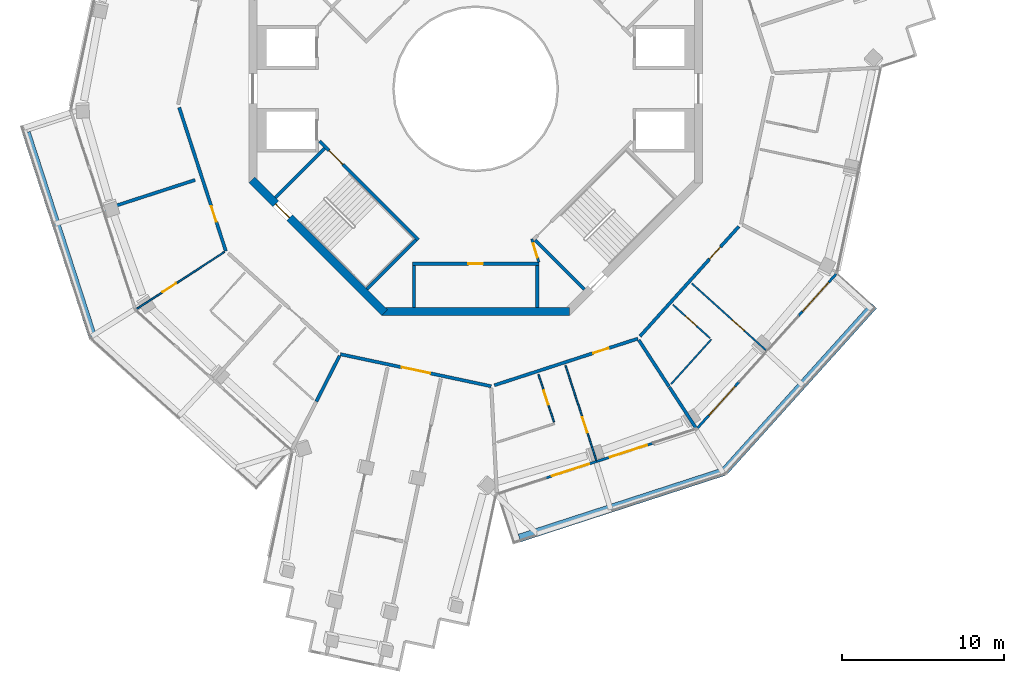
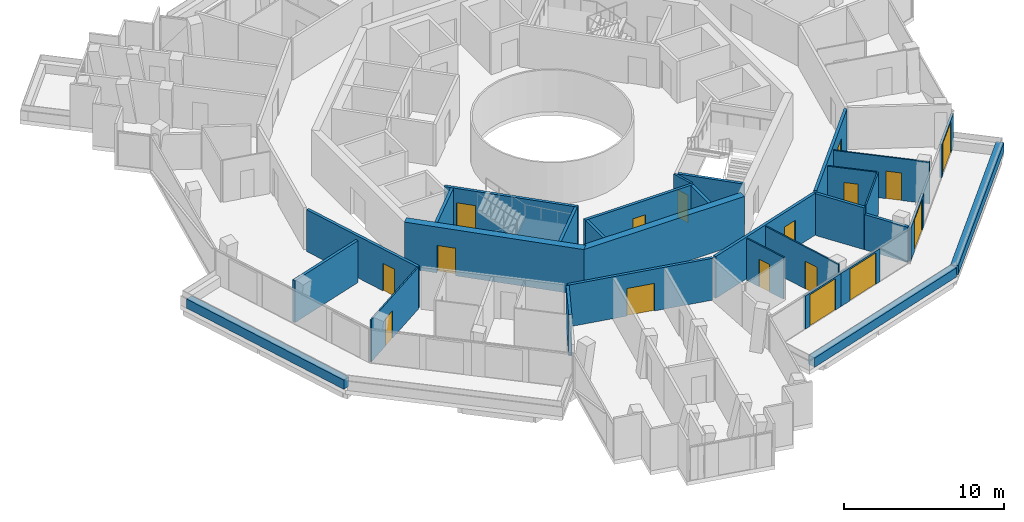
# One storey, part 15 of 22: 31 walls, 17 doors, 17 openings.
"""IFC4 building model written with IfcOpenShell, lengths in metres."""

from ifc_helpers import new_model, si_unit, direction, frame, frame_2d, origin, place, context, subcontext, project, spatial, rectangle, extrude, material, layer, layer_set, type_object, element, fill, save


model = new_model("IFC4")

# Units and contexts
model_context = context("Model", 3, precision=1e-05, world=origin(), true_north=direction((0.0, 1.0)))
body_context = subcontext(model_context, "Body", "Model", "MODEL_VIEW")
ifc_project = project(units=[si_unit("LENGTHUNIT", "METRE"), si_unit("AREAUNIT", "SQUARE_METRE"), si_unit("VOLUMEUNIT", "CUBIC_METRE"), si_unit("PLANEANGLEUNIT", "RADIAN"), si_unit("MASSUNIT", "GRAM", prefix="KILO")], contexts=[model_context])

# Site, building, storey
site_placement = place(None, origin())
site = spatial("IfcSite", under=ifc_project, at=site_placement, CompositionType="ELEMENT")
building_placement = place(site_placement, origin())
building = spatial("IfcBuilding", under=site, at=building_placement, Name="Verdalira Terraces Hotel", CompositionType="ELEMENT")
storey_placement = place(building_placement, frame((0.0, 0.0, 230.5)))
storey = spatial("IfcBuildingStorey", under=building, at=storey_placement, Name="L56", CompositionType="ELEMENT", Elevation=230.5)

# Walls
ifc_material_1 = material(Name="Concrete C40", Category="concrete")
ifc_layer_1 = layer(ifc_material_1, 0.5)
ifc_layer_set_1 = layer_set([ifc_layer_1], Name="Balcony planter trough with tree")
wall_type_1 = type_object("IfcWallType", Name="Balcony planter trough with tree", PredefinedType="SOLIDWALL", material=ifc_layer_set_1)
for number, where, z_axis, x_axis, name in (
    (1, (-27.730713, -2.701416, 0.0), (0.0, 0.0, 1.0), (0.30900717, -0.951059708, 0.0), "Balcony planter"),
    (2, (2.701416, -27.730713, 0.0), (0.0, 0.0, 1.0), (0.951059708, 0.30900717, 0.0), "Balcony planter"),
):
    element("IfcWall", number, at=place(storey_placement, frame(where, z_axis=z_axis, x_axis=x_axis)), inside=storey, type_object=wall_type_1, Name=name, PredefinedType="SOLIDWALL", context=body_context, shape_type="SweptSolid", body=[
        extrude(rectangle(XDim=13.223633, YDim=0.5, at=frame_2d((6.611816, 0.0))), origin(), (0.0, 0.0, 1.0), 0.699951),
    ])
wall_1_placement = place(storey_placement, frame((15.38623, -23.573975, 0.0), z_axis=(0.0, 0.0, 1.0), x_axis=(0.669134751, 0.743141094, 0.0)))
element("IfcWall", 3, at=wall_1_placement, inside=storey, type_object=wall_type_1, Name="Balcony planter", PredefinedType="SOLIDWALL", context=body_context, shape_type="SweptSolid", body=[
    extrude(rectangle(XDim=13.723389, YDim=0.5, at=frame_2d((6.861816, 0.0))), origin(), (0.0, 0.0, 1.0), 0.699951),
])

# Wall, opening, door
ifc_material_2 = material(Name="Moisture-resistant gypsum board partition")
ifc_layer_2 = layer(ifc_material_2, 0.10009765625)
ifc_layer_set_2 = layer_set([ifc_layer_2], Name="Bathroom partition 100 mm")
wall_type_2 = type_object("IfcWallType", Name="Bathroom partition 100 mm", PredefinedType="PARTITIONING", material=ifc_layer_set_2)
wall_2_placement = place(storey_placement, frame((-15.505615, -10.06958, 0.0), z_axis=(0.0, 0.0, 1.0), x_axis=(-0.838671806, -0.544637128, 0.0)))
wall_2 = element("IfcWall", 4, at=wall_2_placement, inside=storey, type_object=wall_type_2, Name="Bathroom partition", PredefinedType="PARTITIONING", context=body_context, shape_type="SweptSolid", body=[
    extrude(rectangle(XDim=6.475586, YDim=0.100098, at=frame_2d((3.237793, 0.0))), origin(), (0.0, 0.0, 1.0), 3.189941),
])
opening_1_placement = place(wall_2_placement, frame((3.550049, 0.0, 0.0)))
opening_1 = element("IfcOpeningElement", 5, at=opening_1_placement, cuts=wall_2, Name="Opening L56-107", PredefinedType="OPENING", context=body_context, shape_type="SweptSolid", body=[
    extrude(rectangle(XDim=1.0, YDim=2.100098, at=frame_2d((0.5, 1.050049))), frame((0.0, 0.060059, 0.0), z_axis=(0.0, -1.0, 0.0), x_axis=(1.0, 0.0, 0.0)), (0.0, 0.0, 1.0), 0.120117),
])
ifc_material_3 = material(Name="Timber door", Category="wood")
door_type_1 = type_object("IfcDoorType", Name="Suite internal door 1000 x 2100", OperationType="NOTDEFINED", PredefinedType="DOOR", material=ifc_material_3)
door_1_placement = place(opening_1_placement, origin())
door_1 = element("IfcDoor", 6, at=door_1_placement, inside=storey, type_object=door_type_1, Name="Suite internal door 5603", OperationType="SINGLE_SWING_LEFT", OverallHeight=2.10009765625, OverallWidth=1.0, PredefinedType="DOOR", context=body_context, shape_type="SweptSolid", body=[
    extrude(rectangle(XDim=1.0, YDim=2.100098, at=frame_2d((0.5, 1.050049))), frame((0.0, 0.024902, 0.0), z_axis=(0.0, -1.0, 0.0), x_axis=(1.0, 0.0, 0.0)), (0.0, 0.0, 1.0), 0.050049),
])
fill(opening_1, door_1)

wall_3_placement = place(storey_placement, frame((4.835205, -20.571045, 0.0), z_axis=(0.0, 0.0, 1.0), x_axis=(-0.30903621, 0.951050273, 0.0)))
wall_3 = element("IfcWall", 7, at=wall_3_placement, inside=storey, type_object=wall_type_2, Name="Bathroom partition", PredefinedType="PARTITIONING", context=body_context, shape_type="SweptSolid", body=[
    extrude(rectangle(XDim=3.100098, YDim=0.100098, at=frame_2d((1.550049, 0.0))), origin(), (0.0, 0.0, 1.0), 3.189941),
])
opening_2_placement = place(wall_3_placement, frame((1.149902, 0.0, 0.0)))
opening_2 = element("IfcOpeningElement", 8, at=opening_2_placement, cuts=wall_3, Name="Opening L56-117", PredefinedType="OPENING", context=body_context, shape_type="SweptSolid", body=[
    extrude(rectangle(XDim=0.899902, YDim=2.100098, at=frame_2d((0.449951, 1.050049))), frame((0.0, 0.060059, 0.0), z_axis=(0.0, -1.0, 0.0), x_axis=(1.0, 0.0, 0.0)), (0.0, 0.0, 1.0), 0.120117),
])
ifc_material_4 = material(Name="Timber door", Category="wood")
door_type_2 = type_object("IfcDoorType", Name="Bathroom door 900 x 2100", OperationType="NOTDEFINED", PredefinedType="DOOR", material=ifc_material_4)
door_2_placement = place(opening_2_placement, origin())
door_2 = element("IfcDoor", 9, at=door_2_placement, inside=storey, type_object=door_type_2, Name="Bathroom door 5606", OperationType="SINGLE_SWING_LEFT", OverallHeight=2.10009765625, OverallWidth=0.89990234375, PredefinedType="DOOR", context=body_context, shape_type="SweptSolid", body=[
    extrude(rectangle(XDim=0.899902, YDim=2.100098, at=frame_2d((0.449951, 1.050049))), frame((0.0, 0.024902, 0.0), z_axis=(0.0, -1.0, 0.0), x_axis=(1.0, 0.0, 0.0)), (0.0, 0.0, 1.0), 0.050049),
])
fill(opening_2, door_2)

wall_4_placement = place(storey_placement, frame((7.449951, -22.928467, 0.0), z_axis=(0.0, 0.0, 1.0), x_axis=(-0.309037601, 0.95104982, 0.0)))
wall_4 = element("IfcWall", 10, at=wall_4_placement, inside=storey, type_object=wall_type_2, Name="Bathroom partition", PredefinedType="PARTITIONING", context=body_context, shape_type="SweptSolid", body=[
    extrude(rectangle(XDim=6.150146, YDim=0.100098, at=frame_2d((3.075195, 0.0))), origin(), (0.0, 0.0, 1.0), 3.189941),
])
opening_3_placement = place(wall_4_placement, frame((1.800049, 0.0, 0.0)))
opening_3 = element("IfcOpeningElement", 11, at=opening_3_placement, cuts=wall_4, Name="Opening L56-116", PredefinedType="OPENING", context=body_context, shape_type="SweptSolid", body=[
    extrude(rectangle(XDim=1.0, YDim=2.100098, at=frame_2d((0.5, 1.050049))), frame((0.0, 0.060059, 0.0), z_axis=(0.0, -1.0, 0.0), x_axis=(1.0, 0.0, 0.0)), (0.0, 0.0, 1.0), 0.120117),
])
door_3_placement = place(opening_3_placement, origin())
door_3 = element("IfcDoor", 12, at=door_3_placement, inside=storey, type_object=door_type_1, Name="Suite internal door 5606", OperationType="SINGLE_SWING_LEFT", OverallHeight=2.10009765625, OverallWidth=1.0, PredefinedType="DOOR", context=body_context, shape_type="SweptSolid", body=[
    extrude(rectangle(XDim=1.0, YDim=2.100098, at=frame_2d((0.5, 1.050049))), frame((0.0, 0.024902, 0.0), z_axis=(0.0, -1.0, 0.0), x_axis=(1.0, 0.0, 0.0)), (0.0, 0.0, 1.0), 0.050049),
])
fill(opening_3, door_3)

# Wall
wall_5_placement = place(storey_placement, frame((12.068604, -18.217041, 0.0), z_axis=(0.0, 0.0, 1.0), x_axis=(0.669128583, 0.743146648, 0.0)))
element("IfcWall", 13, at=wall_5_placement, inside=storey, type_object=wall_type_2, Name="Bathroom partition", PredefinedType="PARTITIONING", context=body_context, shape_type="SweptSolid", body=[
    extrude(rectangle(XDim=3.704102, YDim=0.100098, at=frame_2d((1.852051, 0.0))), origin(), (0.0, 0.0, 1.0), 3.189941),
])

# Wall, opening, door
wall_6_placement = place(storey_placement, frame((14.4729, -15.397461, 0.0), z_axis=(0.0, 0.0, 1.0), x_axis=(-0.74315315, 0.669121361, 0.0)))
wall_6 = element("IfcWall", 14, at=wall_6_placement, inside=storey, type_object=wall_type_2, Name="Bathroom partition", PredefinedType="PARTITIONING", context=body_context, shape_type="SweptSolid", body=[
    extrude(rectangle(XDim=3.099854, YDim=0.100098, at=frame_2d((1.549805, 0.0))), origin(), (0.0, 0.0, 1.0), 3.189941),
])
opening_4_placement = place(wall_6_placement, frame((1.149902, 0.0, 0.0)))
opening_4 = element("IfcOpeningElement", 15, at=opening_4_placement, cuts=wall_6, Name="Opening L56-120", PredefinedType="OPENING", context=body_context, shape_type="SweptSolid", body=[
    extrude(rectangle(XDim=0.899902, YDim=2.100098, at=frame_2d((0.449951, 1.050049))), frame((0.0, 0.060059, 0.0), z_axis=(0.0, -1.0, 0.0), x_axis=(1.0, 0.0, 0.0)), (0.0, 0.0, 1.0), 0.120117),
])
door_4_placement = place(opening_4_placement, origin())
door_4 = element("IfcDoor", 16, at=door_4_placement, inside=storey, type_object=door_type_2, Name="Bathroom door 5607", OperationType="SINGLE_SWING_LEFT", OverallHeight=2.10009765625, OverallWidth=0.89990234375, PredefinedType="DOOR", context=body_context, shape_type="SweptSolid", body=[
    extrude(rectangle(XDim=0.899902, YDim=2.100098, at=frame_2d((0.449951, 1.050049))), frame((0.0, 0.024902, 0.0), z_axis=(0.0, -1.0, 0.0), x_axis=(1.0, 0.0, 0.0)), (0.0, 0.0, 1.0), 0.050049),
])
fill(opening_4, door_4)

wall_7_placement = place(storey_placement, frame((17.916016, -16.131592, 0.0), z_axis=(0.0, 0.0, 1.0), x_axis=(-0.743155953, 0.669118247, 0.0)))
wall_7 = element("IfcWall", 17, at=wall_7_placement, inside=storey, type_object=wall_type_2, Name="Bathroom partition", PredefinedType="PARTITIONING", context=body_context, shape_type="SweptSolid", body=[
    extrude(rectangle(XDim=6.149902, YDim=0.100098, at=frame_2d((3.074951, 0.0))), origin(), (0.0, 0.0, 1.0), 3.189941),
])
opening_5_placement = place(wall_7_placement, frame((1.800049, 0.0, 0.0)))
opening_5 = element("IfcOpeningElement", 18, at=opening_5_placement, cuts=wall_7, Name="Opening L56-119", PredefinedType="OPENING", context=body_context, shape_type="SweptSolid", body=[
    extrude(rectangle(XDim=1.0, YDim=2.100098, at=frame_2d((0.5, 1.050049))), frame((0.0, 0.060059, 0.0), z_axis=(0.0, -1.0, 0.0), x_axis=(1.0, 0.0, 0.0)), (0.0, 0.0, 1.0), 0.120117),
])
door_5_placement = place(opening_5_placement, origin())
door_5 = element("IfcDoor", 19, at=door_5_placement, inside=storey, type_object=door_type_1, Name="Suite internal door 5607", OperationType="SINGLE_SWING_LEFT", OverallHeight=2.10009765625, OverallWidth=1.0, PredefinedType="DOOR", context=body_context, shape_type="SweptSolid", body=[
    extrude(rectangle(XDim=1.0, YDim=2.100098, at=frame_2d((0.5, 1.050049))), frame((0.0, 0.024902, 0.0), z_axis=(0.0, -1.0, 0.0), x_axis=(1.0, 0.0, 0.0)), (0.0, 0.0, 1.0), 0.050049),
])
fill(opening_5, door_5)

ifc_material_5 = material(Name="Concrete C50", Category="concrete")
ifc_layer_3 = layer(ifc_material_5, 0.199951171875)
ifc_layer_set_3 = layer_set([ifc_layer_3], Name="Core RC wall 200 C50")
wall_type_3 = type_object("IfcWallType", Name="Core RC wall 200 C50", PredefinedType="SOLIDWALL", material=ifc_layer_set_3)
wall_8_placement = place(storey_placement, frame((-3.899902, -10.800049, 0.0), z_axis=(0.0, 0.0, 1.0), x_axis=(1.0, 0.0, 0.0)))
wall_8 = element("IfcWall", 20, at=wall_8_placement, inside=storey, type_object=wall_type_3, Name="L56 store front wall", PredefinedType="SOLIDWALL", context=body_context, shape_type="SweptSolid", body=[
    extrude(rectangle(XDim=7.799805, YDim=0.199951, at=frame_2d((3.899902, 0.0))), origin(), (0.0, 0.0, 1.0), 3.189941),
])
opening_6_placement = place(wall_8_placement, frame((3.449951, 0.0, 0.0)))
opening_6 = element("IfcOpeningElement", 21, at=opening_6_placement, cuts=wall_8, Name="Opening L56-801", PredefinedType="OPENING", context=body_context, shape_type="SweptSolid", body=[
    extrude(rectangle(XDim=0.899902, YDim=2.100098, at=frame_2d((0.449951, 1.050049))), frame((0.0, 0.109863, 0.0), z_axis=(0.0, -1.0, 0.0), x_axis=(1.0, 0.0, 0.0)), (0.0, 0.0, 1.0), 0.219971),
])
ifc_material_6 = material(Name="Steel fire door", Category="steel")
door_type_3 = type_object("IfcDoorType", Name="Core room door 900 x 2100", OperationType="NOTDEFINED", PredefinedType="DOOR", material=ifc_material_6)
door_6_placement = place(opening_6_placement, origin())
door_6 = element("IfcDoor", 22, at=door_6_placement, inside=storey, type_object=door_type_3, Name="Store door L56 SS", OperationType="SINGLE_SWING_LEFT", OverallHeight=2.10009765625, OverallWidth=0.89990234375, PredefinedType="DOOR", context=body_context, shape_type="SweptSolid", body=[
    extrude(rectangle(XDim=0.899902, YDim=2.100098, at=frame_2d((0.449951, 1.050049))), frame((0.0, 0.024902, 0.0), z_axis=(0.0, -1.0, 0.0), x_axis=(1.0, 0.0, 0.0)), (0.0, 0.0, 1.0), 0.050049),
])
fill(opening_6, door_6)

# Walls
for number, where, z_axis, x_axis, name in (
    (23, (-3.800049, -10.899902, 0.0), (0.0, 0.0, 1.0), (0.0, -1.0, 0.0), "L56 store side wall"),
    (24, (3.800049, -10.899902, 0.0), (0.0, 0.0, 1.0), (0.0, -1.0, 0.0), "L56 store side wall"),
):
    element("IfcWall", number, at=place(storey_placement, frame(where, z_axis=z_axis, x_axis=x_axis)), inside=storey, type_object=wall_type_3, Name=name, PredefinedType="SOLIDWALL", context=body_context, shape_type="SweptSolid", body=[
        extrude(rectangle(XDim=2.600098, YDim=0.199951, at=frame_2d((1.300049, 0.0))), origin(), (0.0, 0.0, 1.0), 3.189941),
    ])

# Wall, opening, door
wall_9_placement = place(storey_placement, frame((-3.5354, -9.33374, 0.0), z_axis=(0.0, 0.0, 1.0), x_axis=(-0.707120946, 0.707092617, 0.0)))
wall_9 = element("IfcWall", 25, at=wall_9_placement, inside=storey, type_object=wall_type_3, Name="L56 stair ST2 front wall", PredefinedType="SOLIDWALL", context=body_context, shape_type="SweptSolid", body=[
    extrude(rectangle(XDim=8.61792, YDim=0.199951, at=frame_2d((4.309082, 0.0))), origin(), (0.0, 0.0, 1.0), 3.189941),
])
opening_7_placement = place(wall_9_placement, frame((6.600098, 0.0, 0.0)))
opening_7 = element("IfcOpeningElement", 26, at=opening_7_placement, cuts=wall_9, Name="Opening L56-811", PredefinedType="OPENING", context=body_context, shape_type="SweptSolid", body=[
    extrude(rectangle(XDim=1.199951, YDim=2.100098, at=frame_2d((0.600098, 1.050049))), frame((0.0, 0.109863, 0.0), z_axis=(0.0, -1.0, 0.0), x_axis=(1.0, 0.0, 0.0)), (0.0, 0.0, 1.0), 0.219971),
])
ifc_material_7 = material(Name="Steel fire door", Category="steel")
door_type_4 = type_object("IfcDoorType", Name="Stair door 1200 x 2100", OperationType="NOTDEFINED", PredefinedType="DOOR", material=ifc_material_7)
door_7_placement = place(opening_7_placement, origin())
door_7 = element("IfcDoor", 27, at=door_7_placement, inside=storey, type_object=door_type_4, Name="Stair door ST2 L56", OperationType="SINGLE_SWING_RIGHT", OverallHeight=2.10009765625, OverallWidth=1.199951171875, PredefinedType="DOOR", context=body_context, shape_type="SweptSolid", body=[
    extrude(rectangle(XDim=1.199951, YDim=2.100098, at=frame_2d((0.600098, 1.050049))), frame((0.0, 0.024902, 0.0), z_axis=(0.0, -1.0, 0.0), x_axis=(1.0, 0.0, 0.0)), (0.0, 0.0, 1.0), 0.050049),
])
fill(opening_7, door_7)

# Walls
for number, where, z_axis, x_axis, name in (
    (28, (-9.33374, -3.677002, 0.0), (0.0, 0.0, 1.0), (-0.707135168, -0.707078393, 0.0), "L56 stair ST2 end wall 1"),
    (29, (-3.677002, -9.33374, 0.0), (0.0, 0.0, 1.0), (-0.707078393, -0.707135168, 0.0), "L56 stair ST2 end wall 2"),
    (30, (3.677002, -9.33374, 0.0), (0.0, 0.0, 1.0), (0.707078393, -0.707135168, 0.0), "L56 stair ST3 end wall 1"),
):
    element("IfcWall", number, at=place(storey_placement, frame(where, z_axis=z_axis, x_axis=x_axis)), inside=storey, type_object=wall_type_3, Name=name, PredefinedType="SOLIDWALL", context=body_context, shape_type="SweptSolid", body=[
        extrude(rectangle(XDim=4.300049, YDim=0.199951, at=frame_2d((2.149902, 0.0))), origin(), (0.0, 0.0, 1.0), 3.189941),
    ])

# Wall, opening, door
ifc_material_8 = material(Name="Gypsum board partition")
ifc_layer_4 = layer(ifc_material_8, 0.14990234375)
ifc_layer_set_4 = layer_set([ifc_layer_4], Name="Core partition 150 mm")
wall_type_4 = type_object("IfcWallType", Name="Core partition 150 mm", PredefinedType="PARTITIONING", material=ifc_layer_set_4)
wall_10_placement = place(storey_placement, frame((3.899902, -10.699951, 0.0), z_axis=(0.0, 0.0, 1.0), x_axis=(-0.289808785, 0.957084567, 0.0)))
wall_10 = element("IfcWall", 31, at=wall_10_placement, inside=storey, type_object=wall_type_4, Name="Room partition L56", PredefinedType="PARTITIONING", context=body_context, shape_type="SweptSolid", body=[
    extrude(rectangle(XDim=1.501221, YDim=0.149902, at=frame_2d((0.750488, 0.0))), origin(), (0.0, 0.0, 1.0), 3.189941),
])
opening_8_placement = place(wall_10_placement, frame((0.300781, 0.0, 0.0)))
opening_8 = element("IfcOpeningElement", 32, at=opening_8_placement, cuts=wall_10, Name="Opening L56-822", PredefinedType="OPENING", context=body_context, shape_type="SweptSolid", body=[
    extrude(rectangle(XDim=0.899902, YDim=2.100098, at=frame_2d((0.449951, 1.050049))), frame((0.0, 0.084961, 0.0), z_axis=(0.0, -1.0, 0.0), x_axis=(1.0, 0.0, 0.0)), (0.0, 0.0, 1.0), 0.169922),
])
door_8_placement = place(opening_8_placement, origin())
door_8 = element("IfcDoor", 33, at=door_8_placement, inside=storey, type_object=door_type_3, Name="Door L56 room6", OperationType="SINGLE_SWING_LEFT", OverallHeight=2.10009765625, OverallWidth=0.89990234375, PredefinedType="DOOR", context=body_context, shape_type="SweptSolid", body=[
    extrude(rectangle(XDim=0.899902, YDim=2.100098, at=frame_2d((0.449951, 1.050049))), frame((0.0, 0.024902, 0.0), z_axis=(0.0, -1.0, 0.0), x_axis=(1.0, 0.0, 0.0)), (0.0, 0.0, 1.0), 0.050049),
])
fill(opening_8, door_8)

ifc_material_9 = material(Name="Concrete C50", Category="concrete")
ifc_layer_5 = layer(ifc_material_9, 0.5)
ifc_layer_set_5 = layer_set([ifc_layer_5], Name="Core wall 500 C50")
wall_type_5 = type_object("IfcWallType", Name="Core wall 500 C50", PredefinedType="SHEAR", material=ifc_layer_set_5)
wall_11_placement = place(storey_placement, frame((-13.823242, -5.622314, 0.0), z_axis=(0.0, 0.0, 1.0), x_axis=(0.707106781, -0.707106781, 0.0)))
wall_11 = element("IfcWall", 34, at=wall_11_placement, inside=storey, type_object=wall_type_5, Name="Core wall CW-L56-6", PredefinedType="SHEAR", context=body_context, shape_type="SweptSolid", body=[
    extrude(rectangle(XDim=11.5979, YDim=0.5, at=frame_2d((5.798828, 0.0))), origin(), (0.0, 0.0, 1.0), 3.5),
])
opening_9_placement = place(wall_11_placement, frame((2.099121, 0.0, 0.0)))
opening_9 = element("IfcOpeningElement", 35, at=opening_9_placement, cuts=wall_11, Name="Opening L56-817", PredefinedType="OPENING", context=body_context, shape_type="SweptSolid", body=[
    extrude(rectangle(XDim=1.199951, YDim=2.100098, at=frame_2d((0.600098, 1.050049))), frame((0.0, 0.26001, 0.0), z_axis=(0.0, -1.0, 0.0), x_axis=(1.0, 0.0, 0.0)), (0.0, 0.0, 1.0), 0.52002),
])
door_9_placement = place(opening_9_placement, origin())
door_9 = element("IfcDoor", 36, at=door_9_placement, inside=storey, type_object=door_type_4, Name="Stair exit door ST2 L56", OperationType="SINGLE_SWING_LEFT", OverallHeight=2.10009765625, OverallWidth=1.199951171875, PredefinedType="DOOR", context=body_context, shape_type="SweptSolid", body=[
    extrude(rectangle(XDim=1.199951, YDim=2.100098, at=frame_2d((0.600098, 1.050049))), frame((0.0, 0.024902, 0.0), z_axis=(0.0, -1.0, 0.0), x_axis=(1.0, 0.0, 0.0)), (0.0, 0.0, 1.0), 0.050049),
])
fill(opening_9, door_9)

# Walls
wall_12_placement = place(storey_placement, frame((-5.799072, -13.75, 0.0), z_axis=(0.0, 0.0, 1.0), x_axis=(1.0, 0.0, 0.0)))
element("IfcWall", 37, at=wall_12_placement, inside=storey, type_object=wall_type_5, Name="Core wall CW-L56-7", PredefinedType="SHEAR", context=body_context, shape_type="SweptSolid", body=[
    extrude(rectangle(XDim=11.598145, YDim=0.5, at=frame_2d((5.799072, 0.0))), origin(), (0.0, 0.0, 1.0), 3.5),
])
ifc_material_10 = material(Name="Fire-rated gypsum board wall")
ifc_layer_6 = layer(ifc_material_10, 0.199951171875)
ifc_layer_set_6 = layer_set([ifc_layer_6], Name="Demising wall 200 mm")
wall_type_6 = type_object("IfcWallType", Name="Demising wall 200 mm", PredefinedType="SOLIDWALL", material=ifc_layer_set_6)
wall_13_placement = place(storey_placement, frame((-17.314453, -5.625732, 0.0), z_axis=(0.0, 0.0, 1.0), x_axis=(-0.951046834, -0.309046792, 0.0)))
element("IfcWall", 38, at=wall_13_placement, inside=storey, type_object=wall_type_6, Name="Demising wall", PredefinedType="SOLIDWALL", context=body_context, shape_type="SweptSolid", body=[
    extrude(rectangle(XDim=5.902832, YDim=0.199951, at=frame_2d((2.951416, 0.0))), origin(), (0.0, 0.0, 1.0), 3.189941),
])
wall_14_placement = place(storey_placement, frame((-9.828613, -19.290039, 0.0), z_axis=(0.0, 0.0, 1.0), x_axis=(0.453935036, 0.891034782, 0.0)))
element("IfcWall", 39, at=wall_14_placement, inside=storey, type_object=wall_type_6, Name="Demising wall", PredefinedType="SOLIDWALL", context=body_context, shape_type="SweptSolid", body=[
    extrude(rectangle(XDim=3.161377, YDim=0.199951, at=frame_2d((1.580566, 0.0))), origin(), (0.0, 0.0, 1.0), 3.189941),
])
wall_15_placement = place(storey_placement, frame((10.06958, -15.505615, 0.0), z_axis=(0.0, 0.0, 1.0), x_axis=(0.544639368, -0.838670352, 0.0)))
element("IfcWall", 40, at=wall_15_placement, inside=storey, type_object=wall_type_6, Name="Demising wall", PredefinedType="SOLIDWALL", context=body_context, shape_type="SweptSolid", body=[
    extrude(rectangle(XDim=3.418457, YDim=0.199951, at=frame_2d((1.709229, 0.0))), origin(), (0.0, 0.0, 1.0), 3.189941),
])
ifc_material_11 = material(Name="Fire-rated gypsum board wall")
ifc_layer_7 = layer(ifc_material_11, 0.199951171875)
ifc_layer_set_7 = layer_set([ifc_layer_7], Name="Demising wall 200 mm to beam soffit")
wall_type_7 = type_object("IfcWallType", Name="Demising wall 200 mm to beam soffit", PredefinedType="SOLIDWALL", material=ifc_layer_set_7)
wall_16_placement = place(storey_placement, frame((11.956299, -18.410889, 0.0), z_axis=(0.0, 0.0, 1.0), x_axis=(0.544632104, -0.838675069, 0.0)))
element("IfcWall", 41, at=wall_16_placement, inside=storey, type_object=wall_type_7, Name="Demising wall", PredefinedType="SOLIDWALL", context=body_context, shape_type="SweptSolid", body=[
    extrude(rectangle(XDim=3.011475, YDim=0.199951, at=frame_2d((1.505859, 0.0))), origin(), (0.0, 0.0, 1.0), 2.689941),
])

# Wall, opening, door
ifc_material_12 = material(Name="Fire-rated gypsum board wall")
ifc_layer_8 = layer(ifc_material_12, 0.199951171875)
ifc_layer_set_8 = layer_set([ifc_layer_8], Name="Guest corridor wall 200 mm")
wall_type_8 = type_object("IfcWallType", Name="Guest corridor wall 200 mm", PredefinedType="SOLIDWALL", material=ifc_layer_set_8)
wall_17_placement = place(storey_placement, frame((-15.418701, -10.013184, 0.0), z_axis=(0.0, 0.0, 1.0), x_axis=(-0.309017335, 0.951056406, 0.0)))
wall_17 = element("IfcWall", 42, at=wall_17_placement, inside=storey, type_object=wall_type_8, Name="Guest corridor wall", PredefinedType="SOLIDWALL", context=body_context, shape_type="SweptSolid", body=[
    extrude(rectangle(XDim=9.316406, YDim=0.199951, at=frame_2d((4.658203, 0.0))), origin(), (0.0, 0.0, 1.0), 3.189941),
])
opening_10_placement = place(wall_17_placement, frame((1.899902, 0.0, 0.0)))
opening_10 = element("IfcOpeningElement", 43, at=opening_10_placement, cuts=wall_17, Name="Opening L56-106", PredefinedType="OPENING", context=body_context, shape_type="SweptSolid", body=[
    extrude(rectangle(XDim=1.0, YDim=2.100098, at=frame_2d((0.5, 1.050049))), frame((0.0, 0.109863, 0.0), z_axis=(0.0, -1.0, 0.0), x_axis=(1.0, 0.0, 0.0)), (0.0, 0.0, 1.0), 0.219971),
])
ifc_material_13 = material(Name="Timber fire door", Category="wood")
door_type_5 = type_object("IfcDoorType", Name="Guest entry door 1000 x 2100", OperationType="NOTDEFINED", PredefinedType="DOOR", material=ifc_material_13)
door_10_placement = place(opening_10_placement, origin())
door_10 = element("IfcDoor", 44, at=door_10_placement, inside=storey, type_object=door_type_5, Name="Guest entry door 5603", OperationType="SINGLE_SWING_LEFT", OverallHeight=2.10009765625, OverallWidth=1.0, PredefinedType="DOOR", context=body_context, shape_type="SweptSolid", body=[
    extrude(rectangle(XDim=1.0, YDim=2.100098, at=frame_2d((0.5, 1.050049))), frame((0.0, 0.024902, 0.0), z_axis=(0.0, -1.0, 0.0), x_axis=(1.0, 0.0, 0.0)), (0.0, 0.0, 1.0), 0.050049),
])
fill(opening_10, door_10)

wall_18_placement = place(storey_placement, frame((0.962158, -18.359619, 0.0), z_axis=(0.0, 0.0, 1.0), x_axis=(-0.978149461, 0.207902938, 0.0)))
wall_18 = element("IfcWall", 45, at=wall_18_placement, inside=storey, type_object=wall_type_8, Name="Guest corridor wall", PredefinedType="SOLIDWALL", context=body_context, shape_type="SweptSolid", body=[
    extrude(rectangle(XDim=9.516602, YDim=0.199951, at=frame_2d((4.758301, 0.0))), origin(), (0.0, 0.0, 1.0), 3.189941),
])
opening_11_placement = place(wall_18_placement, frame((3.8396, 0.0, 0.0)))
opening_11 = element("IfcOpeningElement", 46, at=opening_11_placement, cuts=wall_18, Name="Opening L56-111", PredefinedType="OPENING", context=body_context, shape_type="SweptSolid", body=[
    extrude(rectangle(XDim=1.800049, YDim=2.100098, at=frame_2d((0.899902, 1.050049))), frame((0.0, 0.109863, 0.0), z_axis=(0.0, -1.0, 0.0), x_axis=(1.0, 0.0, 0.0)), (0.0, 0.0, 1.0), 0.219971),
])
ifc_material_14 = material(Name="Timber fire door", Category="wood")
door_type_6 = type_object("IfcDoorType", Name="Public room double door 1800 x 2100", OperationType="NOTDEFINED", PredefinedType="DOOR", material=ifc_material_14)
door_11_placement = place(opening_11_placement, origin())
door_11 = element("IfcDoor", 47, at=door_11_placement, inside=storey, type_object=door_type_6, Name="Public room double door 5605", OperationType="DOUBLE_DOOR_SINGLE_SWING", OverallHeight=2.10009765625, OverallWidth=1.800048828125, PredefinedType="DOOR", context=body_context, shape_type="SweptSolid", body=[
    extrude(rectangle(XDim=1.800049, YDim=2.100098, at=frame_2d((0.899902, 1.050049))), frame((0.0, 0.024902, 0.0), z_axis=(0.0, -1.0, 0.0), x_axis=(1.0, 0.0, 0.0)), (0.0, 0.0, 1.0), 0.050049),
])
fill(opening_11, door_11)

wall_19_placement = place(storey_placement, frame((10.013184, -15.418701, 0.0), z_axis=(0.0, 0.0, 1.0), x_axis=(-0.951053709, -0.309025635, 0.0)))
wall_19 = element("IfcWall", 48, at=wall_19_placement, inside=storey, type_object=wall_type_8, Name="Guest corridor wall", PredefinedType="SOLIDWALL", context=body_context, shape_type="SweptSolid", body=[
    extrude(rectangle(XDim=9.316895, YDim=0.199951, at=frame_2d((4.658447, 0.0))), origin(), (0.0, 0.0, 1.0), 3.189941),
])
opening_12_placement = place(wall_19_placement, frame((1.899902, 0.0, 0.0)))
opening_12 = element("IfcOpeningElement", 49, at=opening_12_placement, cuts=wall_19, Name="Opening L56-115", PredefinedType="OPENING", context=body_context, shape_type="SweptSolid", body=[
    extrude(rectangle(XDim=1.0, YDim=2.100098, at=frame_2d((0.5, 1.050049))), frame((0.0, 0.109863, 0.0), z_axis=(0.0, -1.0, 0.0), x_axis=(1.0, 0.0, 0.0)), (0.0, 0.0, 1.0), 0.219971),
])
door_12_placement = place(opening_12_placement, origin())
door_12 = element("IfcDoor", 50, at=door_12_placement, inside=storey, type_object=door_type_5, Name="Guest entry door 5606", OperationType="SINGLE_SWING_LEFT", OverallHeight=2.10009765625, OverallWidth=1.0, PredefinedType="DOOR", context=body_context, shape_type="SweptSolid", body=[
    extrude(rectangle(XDim=1.0, YDim=2.100098, at=frame_2d((0.5, 1.050049))), frame((0.0, 0.024902, 0.0), z_axis=(0.0, -1.0, 0.0), x_axis=(1.0, 0.0, 0.0)), (0.0, 0.0, 1.0), 0.050049),
])
fill(opening_12, door_12)

wall_20_placement = place(storey_placement, frame((16.24707, -8.495117, 0.0), z_axis=(0.0, 0.0, 1.0), x_axis=(-0.669127468, -0.743147652, 0.0)))
wall_20 = element("IfcWall", 51, at=wall_20_placement, inside=storey, type_object=wall_type_8, Name="Guest corridor wall", PredefinedType="SOLIDWALL", context=body_context, shape_type="SweptSolid", body=[
    extrude(rectangle(XDim=9.116455, YDim=0.199951, at=frame_2d((4.558105, 0.0))), origin(), (0.0, 0.0, 1.0), 3.189941),
])
opening_13_placement = place(wall_20_placement, frame((1.699951, 0.0, 0.0)))
opening_13 = element("IfcOpeningElement", 52, at=opening_13_placement, cuts=wall_20, Name="Opening L56-118", PredefinedType="OPENING", context=body_context, shape_type="SweptSolid", body=[
    extrude(rectangle(XDim=1.0, YDim=2.100098, at=frame_2d((0.5, 1.050049))), frame((0.0, 0.109863, 0.0), z_axis=(0.0, -1.0, 0.0), x_axis=(1.0, 0.0, 0.0)), (0.0, 0.0, 1.0), 0.219971),
])
door_13_placement = place(opening_13_placement, origin())
door_13 = element("IfcDoor", 53, at=door_13_placement, inside=storey, type_object=door_type_5, Name="Guest entry door 5607", OperationType="SINGLE_SWING_LEFT", OverallHeight=2.10009765625, OverallWidth=1.0, PredefinedType="DOOR", context=body_context, shape_type="SweptSolid", body=[
    extrude(rectangle(XDim=1.0, YDim=2.100098, at=frame_2d((0.5, 1.050049))), frame((0.0, 0.024902, 0.0), z_axis=(0.0, -1.0, 0.0), x_axis=(1.0, 0.0, 0.0)), (0.0, 0.0, 1.0), 0.050049),
])
fill(opening_13, door_13)

ifc_material_15 = material(Name="Terracotta cladding", Category="masonry")
ifc_layer_9 = layer(ifc_material_15, 0.14990234375)
ifc_layer_set_9 = layer_set([ifc_layer_9], Name="Terracotta door pier 150")
wall_type_9 = type_object("IfcWallType", Name="Terracotta door pier 150", PredefinedType="SOLIDWALL", material=ifc_layer_set_9)
wall_21_placement = place(storey_placement, frame((4.334473, -24.019531, 0.0), z_axis=(0.0, 0.0, 1.0), x_axis=(0.95106016, 0.309005779, 0.0)))
wall_21 = element("IfcWall", 54, at=wall_21_placement, inside=storey, type_object=wall_type_9, Name="Terracotta door pier", PredefinedType="SOLIDWALL", context=body_context, shape_type="SweptSolid", body=[
    extrude(rectangle(XDim=3.300293, YDim=0.149902, at=frame_2d((1.650146, 0.0))), origin(), (0.0, 0.0, 1.0), 2.524902),
])
opening_14_placement = place(wall_21_placement, frame((0.399902, 0.0, 0.0)))
opening_14 = element("IfcOpeningElement", 55, at=opening_14_placement, cuts=wall_21, Name="Opening L56-B06", PredefinedType="OPENING", context=body_context, shape_type="SweptSolid", body=[
    extrude(rectangle(XDim=2.399902, YDim=2.399902, at=frame_2d((1.199951, 1.199951))), frame((0.0, 0.084961, 0.0), z_axis=(0.0, -1.0, 0.0), x_axis=(1.0, 0.0, 0.0)), (0.0, 0.0, 1.0), 0.169922),
])
ifc_material_16 = material(Name="Clear glass", Category="glass")
door_type_7 = type_object("IfcDoorType", Name="Balcony sliding door 2400x2400", OperationType="NOTDEFINED", PredefinedType="DOOR", material=ifc_material_16)
door_14_placement = place(opening_14_placement, origin())
door_14 = element("IfcDoor", 56, at=door_14_placement, inside=storey, type_object=door_type_7, Name="Balcony sliding door", OperationType="SLIDING_TO_RIGHT", OverallHeight=2.39990234375, OverallWidth=2.39990234375, PredefinedType="DOOR", context=body_context, shape_type="SweptSolid", body=[
    extrude(rectangle(XDim=2.399902, YDim=2.399902, at=frame_2d((1.199951, 1.199951))), frame((0.0, 0.024902, 0.0), z_axis=(0.0, -1.0, 0.0), x_axis=(1.0, 0.0, 0.0)), (0.0, 0.0, 1.0), 0.050049),
])
fill(opening_14, door_14)

wall_22_placement = place(storey_placement, frame((7.473145, -22.999756, 0.0), z_axis=(0.0, 0.0, 1.0), x_axis=(0.951056609, 0.30901671, 0.0)))
wall_22 = element("IfcWall", 57, at=wall_22_placement, inside=storey, type_object=wall_type_9, Name="Terracotta door pier", PredefinedType="SOLIDWALL", context=body_context, shape_type="SweptSolid", body=[
    extrude(rectangle(XDim=3.661133, YDim=0.149902, at=frame_2d((1.830566, 0.0))), origin(), (0.0, 0.0, 1.0), 2.524902),
])
opening_15_placement = place(wall_22_placement, frame((0.861328, 0.0, 0.0)))
opening_15 = element("IfcOpeningElement", 58, at=opening_15_placement, cuts=wall_22, Name="Opening L56-B07", PredefinedType="OPENING", context=body_context, shape_type="SweptSolid", body=[
    extrude(rectangle(XDim=2.399902, YDim=2.399902, at=frame_2d((1.199951, 1.199951))), frame((0.0, 0.084961, 0.0), z_axis=(0.0, -1.0, 0.0), x_axis=(1.0, 0.0, 0.0)), (0.0, 0.0, 1.0), 0.169922),
])
door_15_placement = place(opening_15_placement, origin())
door_15 = element("IfcDoor", 59, at=door_15_placement, inside=storey, type_object=door_type_7, Name="Balcony sliding door", OperationType="SLIDING_TO_LEFT", OverallHeight=2.39990234375, OverallWidth=2.39990234375, PredefinedType="DOOR", context=body_context, shape_type="SweptSolid", body=[
    extrude(rectangle(XDim=2.399902, YDim=2.399902, at=frame_2d((1.199951, 1.199951))), frame((0.0, 0.024902, 0.0), z_axis=(0.0, -1.0, 0.0), x_axis=(1.0, 0.0, 0.0)), (0.0, 0.0, 1.0), 0.050049),
])
fill(opening_15, door_15)

wall_23_placement = place(storey_placement, frame((13.689453, -20.937744, 0.0), z_axis=(0.0, 0.0, 1.0), x_axis=(0.669135801, 0.743140148, 0.0)))
wall_23 = element("IfcWall", 60, at=wall_23_placement, inside=storey, type_object=wall_type_9, Name="Terracotta door pier", PredefinedType="SOLIDWALL", context=body_context, shape_type="SweptSolid", body=[
    extrude(rectangle(XDim=3.863037, YDim=0.149902, at=frame_2d((1.931641, 0.0))), origin(), (0.0, 0.0, 1.0), 2.524902),
])
opening_16_placement = place(wall_23_placement, frame((1.062988, 0.0, 0.0)))
opening_16 = element("IfcOpeningElement", 61, at=opening_16_placement, cuts=wall_23, Name="Opening L56-B08", PredefinedType="OPENING", context=body_context, shape_type="SweptSolid", body=[
    extrude(rectangle(XDim=2.399902, YDim=2.399902, at=frame_2d((1.199951, 1.199951))), frame((0.0, 0.084961, 0.0), z_axis=(0.0, -1.0, 0.0), x_axis=(1.0, 0.0, 0.0)), (0.0, 0.0, 1.0), 0.169922),
])
door_16_placement = place(opening_16_placement, origin())
door_16 = element("IfcDoor", 62, at=door_16_placement, inside=storey, type_object=door_type_7, Name="Balcony sliding door", OperationType="SLIDING_TO_LEFT", OverallHeight=2.39990234375, OverallWidth=2.39990234375, PredefinedType="DOOR", context=body_context, shape_type="SweptSolid", body=[
    extrude(rectangle(XDim=2.399902, YDim=2.399902, at=frame_2d((1.199951, 1.199951))), frame((0.0, 0.024902, 0.0), z_axis=(0.0, -1.0, 0.0), x_axis=(1.0, 0.0, 0.0)), (0.0, 0.0, 1.0), 0.050049),
])
fill(opening_16, door_16)

wall_24_placement = place(storey_placement, frame((19.909424, -14.029785, 0.0), z_axis=(0.0, 0.0, 1.0), x_axis=(0.669103303, 0.743169409, 0.0)))
wall_24 = element("IfcWall", 63, at=wall_24_placement, inside=storey, type_object=wall_type_9, Name="Terracotta door pier", PredefinedType="SOLIDWALL", context=body_context, shape_type="SweptSolid", body=[
    extrude(rectangle(XDim=3.503906, YDim=0.149902, at=frame_2d((1.751953, 0.0))), origin(), (0.0, 0.0, 1.0), 2.524902),
])
opening_17_placement = place(wall_24_placement, frame((0.399902, 0.0, 0.0)))
opening_17 = element("IfcOpeningElement", 64, at=opening_17_placement, cuts=wall_24, Name="Opening L56-B09", PredefinedType="OPENING", context=body_context, shape_type="SweptSolid", body=[
    extrude(rectangle(XDim=2.399902, YDim=2.399902, at=frame_2d((1.199951, 1.199951))), frame((0.0, 0.084961, 0.0), z_axis=(0.0, -1.0, 0.0), x_axis=(1.0, 0.0, 0.0)), (0.0, 0.0, 1.0), 0.169922),
])
door_17_placement = place(opening_17_placement, origin())
door_17 = element("IfcDoor", 65, at=door_17_placement, inside=storey, type_object=door_type_7, Name="Balcony sliding door", OperationType="SLIDING_TO_RIGHT", OverallHeight=2.39990234375, OverallWidth=2.39990234375, PredefinedType="DOOR", context=body_context, shape_type="SweptSolid", body=[
    extrude(rectangle(XDim=2.399902, YDim=2.399902, at=frame_2d((1.199951, 1.199951))), frame((0.0, 0.024902, 0.0), z_axis=(0.0, -1.0, 0.0), x_axis=(1.0, 0.0, 0.0)), (0.0, 0.0, 1.0), 0.050049),
])
fill(opening_17, door_17)

save(model, "model.ifc")
